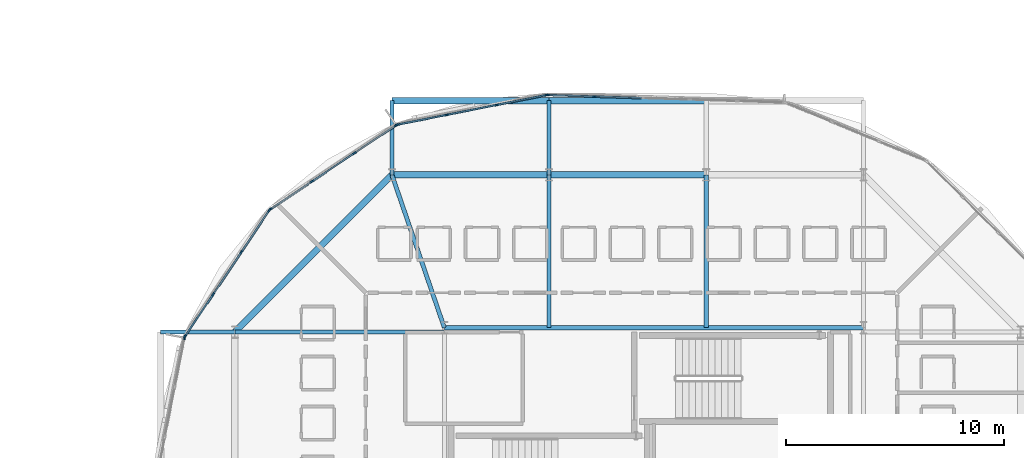
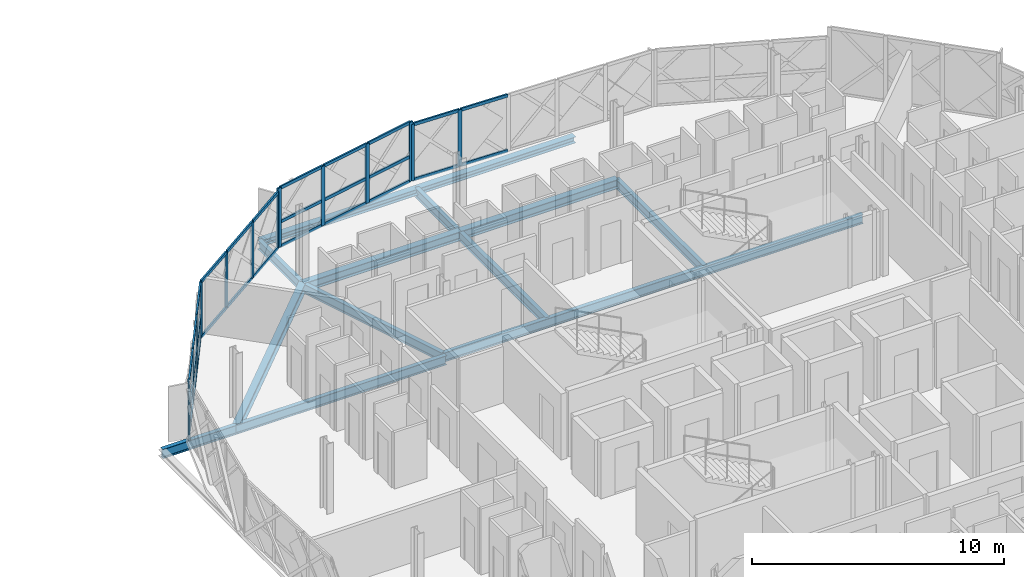
# One storey, part 11 of 50: 43 members, 13 beams, 5 elements without a shape of their own.
"""IFC4 building model written with IfcOpenShell, lengths in metres."""

from ifc_helpers import new_model, si_unit, direction, frame, origin, origin_2d, place, context, subcontext, project, spatial, rectangle, i_section, extrude, material, layer, layer_set, material_profile, profile_set, type_object, element, aggregate, save


model = new_model("IFC4")

# Units and contexts
model_context = context("Model", 3, precision=1e-05, world=origin(), true_north=direction((0.0, 1.0)))
body_context = subcontext(model_context, "Body", "Model", "MODEL_VIEW")
ifc_project = project(units=[si_unit("LENGTHUNIT", "METRE"), si_unit("AREAUNIT", "SQUARE_METRE"), si_unit("VOLUMEUNIT", "CUBIC_METRE"), si_unit("PLANEANGLEUNIT", "RADIAN"), si_unit("MASSUNIT", "GRAM", prefix="KILO")], contexts=[model_context])

# Site, building, storey
site_placement = place(None, origin())
site = spatial("IfcSite", under=ifc_project, at=site_placement, CompositionType="ELEMENT")
building_placement = place(site_placement, origin())
building = spatial("IfcBuilding", under=site, at=building_placement, Name="Zevrakil Square Congress Hotel", CompositionType="ELEMENT")
storey_placement = place(building_placement, frame((0.0, 0.0, 21.5)))
storey = spatial("IfcBuildingStorey", under=building, at=storey_placement, Name="L06", CompositionType="ELEMENT", Elevation=21.5)

# Beams
ifc_material_1 = material(Name="Steel S355", Category="steel")
ifc_material_profile_1 = material_profile(ifc_material_1, i_section(OverallWidth=0.300048828125, OverallDepth=0.43994140625, WebThickness=0.011474609375, FlangeThickness=0.02099609375, FilletRadius=0.027099609375, at=origin_2d()), Name="HEA 450")
ifc_profile_set_1 = profile_set([ifc_material_profile_1], Name="Steel S355")
beam_type_1 = type_object("IfcBeamType", Name="BM-HEA450", PredefinedType="BEAM", material=ifc_profile_set_1)
beam_1_placement = place(storey_placement, frame((148.800048828125, 45.60009765625, -0.409912109375), z_axis=(-1.0, 0.0, 0.0), x_axis=(0.0, -1.0, 0.0)))
element("IfcBeam", 1, at=beam_1_placement, inside=storey, type_object=beam_type_1, Name="L06 drum ring girder DRB-10", PredefinedType="BEAM", context=body_context, shape_type="SweptSolid", body=[
    extrude(i_section(OverallWidth=0.300048828125, OverallDepth=0.43994140625, WebThickness=0.011474609375, FlangeThickness=0.02099609375, FilletRadius=0.027099609375, at=origin_2d()), origin(), (0.0, 0.0, 1.0), 7.199951171875),
])
beam_2_placement = place(storey_placement, frame((141.60009765625, 45.60009765625, -0.409912109375), z_axis=(-1.0, 0.0, 0.0), x_axis=(0.0, -1.0, 0.0)))
element("IfcBeam", 2, at=beam_2_placement, inside=storey, type_object=beam_type_1, Name="L06 drum ring girder DRB-11", PredefinedType="BEAM", context=body_context, shape_type="SweptSolid", body=[
    extrude(i_section(OverallWidth=0.300048828125, OverallDepth=0.43994140625, WebThickness=0.011474609375, FlangeThickness=0.02099609375, FilletRadius=0.027099609375, at=origin_2d()), origin(), (0.0, 0.0, 1.0), 7.2001953125),
])
beam_3_placement = place(storey_placement, frame((134.39990234375, 45.60009765625, -0.409912109375), z_axis=(-0.70709479277, -0.7071187694, 0.0), x_axis=(0.7071187694, -0.70709479277, 0.0)))
element("IfcBeam", 3, at=beam_3_placement, inside=storey, type_object=beam_type_1, Name="L06 drum ring girder DRB-12", PredefinedType="BEAM", context=body_context, shape_type="SweptSolid", body=[
    extrude(i_section(OverallWidth=0.300048828125, OverallDepth=0.43994140625, WebThickness=0.011474609375, FlangeThickness=0.02099609375, FilletRadius=0.027099609375, at=origin_2d()), origin(), (0.0, 0.0, 1.0), 10.182373046875),
])
ifc_material_2 = material(Name="Steel S355", Category="steel")
ifc_material_profile_2 = material_profile(ifc_material_2, i_section(OverallWidth=0.18994140625, OverallDepth=0.449951171875, WebThickness=0.009521484375, FlangeThickness=0.0146484375, FilletRadius=0.02099609375, at=origin_2d()), Name="IPE 450")
ifc_profile_set_2 = profile_set([ifc_material_profile_2], Name="Steel S355")
beam_type_2 = type_object("IfcBeamType", Name="BM-IPE450", PredefinedType="BEAM", material=ifc_profile_set_2)
beam_4_placement = place(storey_placement, frame((156.0, 38.60009765625, -0.4150390625), z_axis=(-1.0, 0.0, 0.0), x_axis=(0.0, -1.0, 0.0)))
element("IfcBeam", 4, at=beam_4_placement, inside=storey, type_object=beam_type_2, Name="L06 drum core perimeter tie beam DCB-03", PredefinedType="BEAM", context=body_context, shape_type="SweptSolid", body=[
    extrude(i_section(OverallWidth=0.18994140625, OverallDepth=0.449951171875, WebThickness=0.009521484375, FlangeThickness=0.0146484375, FilletRadius=0.02099609375, at=origin_2d()), origin(), (0.0, 0.0, 1.0), 19.199951171875),
])
for number, where, z_axis, x_axis, name in (
    (5, (148.800048828125, 38.60009765625, -0.4150390625), (0.0, 1.0, 0.0), (-1.0, 0.0, 0.0), "L06 drum radial floor beam DRI-10"),
    (6, (141.60009765625, 38.60009765625, -0.4150390625), (0.0, 1.0, 0.0), (-1.0, 0.0, 0.0), "L06 drum radial floor beam DRI-11"),
):
    element("IfcBeam", number, at=place(storey_placement, frame(where, z_axis=z_axis, x_axis=x_axis)), inside=storey, type_object=beam_type_2, Name=name, PredefinedType="BEAM", context=body_context, shape_type="SweptSolid", body=[
        extrude(i_section(OverallWidth=0.18994140625, OverallDepth=0.449951171875, WebThickness=0.009521484375, FlangeThickness=0.0146484375, FilletRadius=0.02099609375, at=origin_2d()), origin(), (0.0, 0.0, 1.0), 7.0),
    ])
beam_5_placement = place(storey_placement, frame((141.60009765625, 45.60009765625, -0.4150390625), z_axis=(0.0, 1.0, 0.0), x_axis=(-1.0, 0.0, 0.0)))
element("IfcBeam", 7, at=beam_5_placement, inside=storey, type_object=beam_type_2, Name="L06 drum radial edge cantilever beam DRO-11", PredefinedType="BEAM", context=body_context, shape_type="SweptSolid", body=[
    extrude(i_section(OverallWidth=0.18994140625, OverallDepth=0.449951171875, WebThickness=0.009521484375, FlangeThickness=0.0146484375, FilletRadius=0.02099609375, at=origin_2d()), origin(), (0.0, 0.0, 1.0), 3.39990234375),
])
beam_6_placement = place(storey_placement, frame((136.800048828125, 38.60009765625, -0.4150390625), z_axis=(-0.324342037158, 0.945939872789, 0.0), x_axis=(-0.945939872789, -0.324342037158, 0.0)))
element("IfcBeam", 8, at=beam_6_placement, inside=storey, type_object=beam_type_2, Name="L06 drum radial floor beam DRI-12", PredefinedType="BEAM", context=body_context, shape_type="SweptSolid", body=[
    extrude(i_section(OverallWidth=0.18994140625, OverallDepth=0.449951171875, WebThickness=0.009521484375, FlangeThickness=0.0146484375, FilletRadius=0.02099609375, at=origin_2d()), origin(), (0.0, 0.0, 1.0), 7.400146484375),
])
beam_7_placement = place(storey_placement, frame((134.39990234375, 45.60009765625, -0.4150390625), z_axis=(0.0, 1.0, 0.0), x_axis=(-1.0, 0.0, 0.0)))
element("IfcBeam", 9, at=beam_7_placement, inside=storey, type_object=beam_type_2, Name="L06 drum radial edge cantilever beam DRO-12", PredefinedType="BEAM", context=body_context, shape_type="SweptSolid", body=[
    extrude(i_section(OverallWidth=0.18994140625, OverallDepth=0.449951171875, WebThickness=0.009521484375, FlangeThickness=0.0146484375, FilletRadius=0.02099609375, at=origin_2d()), origin(), (0.0, 0.0, 1.0), 3.39990234375),
])
beam_8_placement = place(storey_placement, frame((136.800048828125, 38.39990234375, -0.4150390625), z_axis=(-1.0, 0.0, 0.0), x_axis=(0.0, -1.0, 0.0)))
element("IfcBeam", 10, at=beam_8_placement, inside=storey, type_object=beam_type_2, Name="L06 drum radial floor beam DRI-13", PredefinedType="BEAM", context=body_context, shape_type="SweptSolid", body=[
    extrude(i_section(OverallWidth=0.18994140625, OverallDepth=0.449951171875, WebThickness=0.009521484375, FlangeThickness=0.0146484375, FilletRadius=0.02099609375, at=origin_2d()), origin(), (0.0, 0.0, 1.0), 9.60009765625),
])
beam_9_placement = place(storey_placement, frame((127.199951171875, 38.39990234375, -0.4150390625), z_axis=(-1.0, 0.0, 0.0), x_axis=(0.0, -1.0, 0.0)))
element("IfcBeam", 11, at=beam_9_placement, inside=storey, type_object=beam_type_2, Name="L06 drum radial edge cantilever beam DRO-13", PredefinedType="BEAM", context=body_context, shape_type="SweptSolid", body=[
    extrude(i_section(OverallWidth=0.18994140625, OverallDepth=0.449951171875, WebThickness=0.009521484375, FlangeThickness=0.0146484375, FilletRadius=0.02099609375, at=origin_2d()), origin(), (0.0, 0.0, 1.0), 3.39990234375),
])

# Curtain wall, members
ifc_material_3 = material(Name="Aluminium Anodised Bronze", Category="aluminium")
ifc_layer_1 = layer(ifc_material_3, 0.179931640625)
ifc_layer_set_1 = layer_set([ifc_layer_1], Name="Aluminium Anodised Bronze")
curtain_wall_type_1 = type_object("IfcCurtainWallType", Name="CW-L06-900", PredefinedType="USERDEFINED", material=ifc_layer_set_1)
curtain_wall_1_placement = place(storey_placement, origin())
curtain_wall_1 = element("IfcCurtainWall", 12, at=curtain_wall_1_placement, inside=storey, type_object=curtain_wall_type_1, Name="L06 diamond curtain wall CW-L06-0209", ObjectType="GLAZED CURTAIN WALL", PredefinedType="USERDEFINED")
ifc_material_4 = material(Name="Aluminium Anodised Bronze", Category="aluminium")
ifc_material_profile_3 = material_profile(ifc_material_4, rectangle(XDim=0.074951171875, YDim=0.14990234375, at=origin_2d()), Name="ALU 75x150")
ifc_profile_set_3 = profile_set([ifc_material_profile_3], Name="Aluminium Anodised Bronze")
member_type_1 = type_object("IfcMemberType", Name="CWM-ALU75x150", PredefinedType="USERDEFINED", material=ifc_profile_set_3)
member_1_placement = place(storey_placement, frame((145.830078125, 49.123046875, 0.030029296875), z_axis=(-0.999503740903, 0.031500347942, 0.0), x_axis=(-0.031500347942, -0.999503740903, 0.0)))
member_1 = element("IfcMember", 13, at=member_1_placement, type_object=member_type_1, Name="CW-72 transom 4.1", ObjectType="TRANSOM", PredefinedType="USERDEFINED", context=body_context, shape_type="SweptSolid", body=[
    extrude(rectangle(XDim=0.074951171875, YDim=0.14990234375, at=origin_2d()), origin(), (0.0, 0.0, 1.0), 2.12353515625),
])
member_2_placement = place(storey_placement, frame((145.830078125, 49.123046875, 2.699951171875), z_axis=(-0.999503740903, 0.031500347942, 0.0), x_axis=(-0.031500347942, -0.999503740903, 0.0)))
member_2 = element("IfcMember", 14, at=member_2_placement, type_object=member_type_1, Name="CW-72 transom 4.2", ObjectType="TRANSOM", PredefinedType="USERDEFINED", context=body_context, shape_type="SweptSolid", body=[
    extrude(rectangle(XDim=0.074951171875, YDim=0.14990234375, at=origin_2d()), origin(), (0.0, 0.0, 1.0), 2.12353515625),
])
member_3_placement = place(storey_placement, frame((143.6474609375, 49.19189453125, 0.030029296875), z_axis=(-0.999500517683, 0.031602454823, 0.0), x_axis=(-0.031602454823, -0.999500517683, 0.0)))
member_3 = element("IfcMember", 15, at=member_3_placement, type_object=member_type_1, Name="CW-72 transom 5.1", ObjectType="TRANSOM", PredefinedType="USERDEFINED", context=body_context, shape_type="SweptSolid", body=[
    extrude(rectangle(XDim=0.074951171875, YDim=0.14990234375, at=origin_2d()), origin(), (0.0, 0.0, 1.0), 2.093505859375),
])
member_4_placement = place(storey_placement, frame((143.6474609375, 49.19189453125, 2.699951171875), z_axis=(-0.999500517683, 0.031602454823, 0.0), x_axis=(-0.031602454823, -0.999500517683, 0.0)))
member_4 = element("IfcMember", 16, at=member_4_placement, type_object=member_type_1, Name="CW-72 transom 5.2", ObjectType="TRANSOM", PredefinedType="USERDEFINED", context=body_context, shape_type="SweptSolid", body=[
    extrude(rectangle(XDim=0.074951171875, YDim=0.14990234375, at=origin_2d()), origin(), (0.0, 0.0, 1.0), 2.093505859375),
])

ifc_material_5 = material(Name="Aluminium Anodised Bronze", Category="aluminium")
ifc_layer_2 = layer(ifc_material_5, 0.179931640625)
ifc_layer_set_2 = layer_set([ifc_layer_2], Name="Aluminium Anodised Bronze")
curtain_wall_type_2 = type_object("IfcCurtainWallType", Name="CW-L06-720", PredefinedType="USERDEFINED", material=ifc_layer_set_2)
curtain_wall_2_placement = place(storey_placement, origin())
curtain_wall_2 = element("IfcCurtainWall", 17, at=curtain_wall_2_placement, inside=storey, type_object=curtain_wall_type_2, Name="L06 diamond curtain wall CW-L06-0210", ObjectType="GLAZED CURTAIN WALL", PredefinedType="USERDEFINED")
member_5_placement = place(storey_placement, frame((141.43603515625, 49.248291015625, 0.030029296875), z_axis=(-0.980785085671, -0.195091300997, 0.0), x_axis=(0.195091300997, -0.980785085671, 0.0)))
member_5 = element("IfcMember", 18, at=member_5_placement, type_object=member_type_1, Name="CW-70 transom 1.1", ObjectType="TRANSOM", PredefinedType="USERDEFINED", context=body_context, shape_type="SweptSolid", body=[
    extrude(rectangle(XDim=0.074951171875, YDim=0.14990234375, at=origin_2d()), origin(), (0.0, 0.0, 1.0), 2.2451171875),
])
member_6_placement = place(storey_placement, frame((141.43603515625, 49.248291015625, 1.209716796875), z_axis=(-0.980785085671, -0.195091300997, 0.0), x_axis=(0.195091300997, -0.980785085671, 0.0)))
member_6 = element("IfcMember", 19, at=member_6_placement, type_object=member_type_1, Name="CW-70 transom 1.2", ObjectType="TRANSOM", PredefinedType="USERDEFINED", context=body_context, shape_type="SweptSolid", body=[
    extrude(rectangle(XDim=0.074951171875, YDim=0.14990234375, at=origin_2d()), origin(), (0.0, 0.0, 1.0), 2.2451171875),
])
member_7_placement = place(storey_placement, frame((141.43603515625, 49.248291015625, 2.85009765625), z_axis=(-0.980785085671, -0.195091300997, 0.0), x_axis=(0.195091300997, -0.980785085671, 0.0)))
member_7 = element("IfcMember", 20, at=member_7_placement, type_object=member_type_1, Name="CW-70 transom 1.3", ObjectType="TRANSOM", PredefinedType="USERDEFINED", context=body_context, shape_type="SweptSolid", body=[
    extrude(rectangle(XDim=0.074951171875, YDim=0.14990234375, at=origin_2d()), origin(), (0.0, 0.0, 1.0), 2.2451171875),
])
member_8_placement = place(storey_placement, frame((139.17529296875, 48.798583984375, 0.030029296875), z_axis=(-0.9807905758, -0.19506369837, 0.0), x_axis=(0.19506369837, -0.9807905758, 0.0)))
member_8 = element("IfcMember", 21, at=member_8_placement, type_object=member_type_1, Name="CW-70 transom 2.1", ObjectType="TRANSOM", PredefinedType="USERDEFINED", context=body_context, shape_type="SweptSolid", body=[
    extrude(rectangle(XDim=0.074951171875, YDim=0.14990234375, at=origin_2d()), origin(), (0.0, 0.0, 1.0), 2.275390625),
])
member_9_placement = place(storey_placement, frame((139.17529296875, 48.798583984375, 1.209716796875), z_axis=(-0.9807905758, -0.19506369837, 0.0), x_axis=(0.19506369837, -0.9807905758, 0.0)))
member_9 = element("IfcMember", 22, at=member_9_placement, type_object=member_type_1, Name="CW-70 transom 2.2", ObjectType="TRANSOM", PredefinedType="USERDEFINED", context=body_context, shape_type="SweptSolid", body=[
    extrude(rectangle(XDim=0.074951171875, YDim=0.14990234375, at=origin_2d()), origin(), (0.0, 0.0, 1.0), 2.275390625),
])
member_10_placement = place(storey_placement, frame((139.17529296875, 48.798583984375, 2.85009765625), z_axis=(-0.9807905758, -0.19506369837, 0.0), x_axis=(0.19506369837, -0.9807905758, 0.0)))
member_10 = element("IfcMember", 23, at=member_10_placement, type_object=member_type_1, Name="CW-70 transom 2.3", ObjectType="TRANSOM", PredefinedType="USERDEFINED", context=body_context, shape_type="SweptSolid", body=[
    extrude(rectangle(XDim=0.074951171875, YDim=0.14990234375, at=origin_2d()), origin(), (0.0, 0.0, 1.0), 2.275390625),
])
member_11_placement = place(storey_placement, frame((136.884765625, 48.343017578125, 0.030029296875), z_axis=(-0.980785085671, -0.195091300997, 0.0), x_axis=(0.195091300997, -0.980785085671, 0.0)))
member_11 = element("IfcMember", 24, at=member_11_placement, type_object=member_type_1, Name="CW-70 transom 3.1", ObjectType="TRANSOM", PredefinedType="USERDEFINED", context=body_context, shape_type="SweptSolid", body=[
    extrude(rectangle(XDim=0.074951171875, YDim=0.14990234375, at=origin_2d()), origin(), (0.0, 0.0, 1.0), 2.2451171875),
])
member_12_placement = place(storey_placement, frame((136.884765625, 48.343017578125, 1.209716796875), z_axis=(-0.980785085671, -0.195091300997, 0.0), x_axis=(0.195091300997, -0.980785085671, 0.0)))
member_12 = element("IfcMember", 25, at=member_12_placement, type_object=member_type_1, Name="CW-70 transom 3.2", ObjectType="TRANSOM", PredefinedType="USERDEFINED", context=body_context, shape_type="SweptSolid", body=[
    extrude(rectangle(XDim=0.074951171875, YDim=0.14990234375, at=origin_2d()), origin(), (0.0, 0.0, 1.0), 2.2451171875),
])
member_13_placement = place(storey_placement, frame((136.884765625, 48.343017578125, 2.85009765625), z_axis=(-0.980785085671, -0.195091300997, 0.0), x_axis=(0.195091300997, -0.980785085671, 0.0)))
member_13 = element("IfcMember", 26, at=member_13_placement, type_object=member_type_1, Name="CW-70 transom 3.3", ObjectType="TRANSOM", PredefinedType="USERDEFINED", context=body_context, shape_type="SweptSolid", body=[
    extrude(rectangle(XDim=0.074951171875, YDim=0.14990234375, at=origin_2d()), origin(), (0.0, 0.0, 1.0), 2.2451171875),
])

curtain_wall_3_placement = place(storey_placement, origin())
curtain_wall_3 = element("IfcCurtainWall", 27, at=curtain_wall_3_placement, inside=storey, type_object=curtain_wall_type_2, Name="L06 diamond curtain wall CW-L06-0211", ObjectType="GLAZED CURTAIN WALL", PredefinedType="USERDEFINED")
member_14_placement = place(storey_placement, frame((134.573974609375, 47.85986328125, 0.030029296875), z_axis=(-0.831464280743, -0.555578212179, 0.0), x_axis=(0.555578212179, -0.831464280743, 0.0)))
member_14 = element("IfcMember", 28, at=member_14_placement, type_object=member_type_1, Name="CW-70 transom 1.1", ObjectType="TRANSOM", PredefinedType="USERDEFINED", context=body_context, shape_type="SweptSolid", body=[
    extrude(rectangle(XDim=0.074951171875, YDim=0.14990234375, at=origin_2d()), origin(), (0.0, 0.0, 1.0), 2.2451171875),
])
member_15_placement = place(storey_placement, frame((134.573974609375, 47.85986328125, 2.699951171875), z_axis=(-0.831464280743, -0.555578212179, 0.0), x_axis=(0.555578212179, -0.831464280743, 0.0)))
member_15 = element("IfcMember", 29, at=member_15_placement, type_object=member_type_1, Name="CW-70 transom 1.2", ObjectType="TRANSOM", PredefinedType="USERDEFINED", context=body_context, shape_type="SweptSolid", body=[
    extrude(rectangle(XDim=0.074951171875, YDim=0.14990234375, at=origin_2d()), origin(), (0.0, 0.0, 1.0), 2.2451171875),
])
member_16_placement = place(storey_placement, frame((132.6572265625, 46.579345703125, 0.030029296875), z_axis=(-0.831422423114, -0.55564085014, 0.0), x_axis=(0.55564085014, -0.831422423114, 0.0)))
member_16 = element("IfcMember", 30, at=member_16_placement, type_object=member_type_1, Name="CW-70 transom 2.1", ObjectType="TRANSOM", PredefinedType="USERDEFINED", context=body_context, shape_type="SweptSolid", body=[
    extrude(rectangle(XDim=0.074951171875, YDim=0.14990234375, at=origin_2d()), origin(), (0.0, 0.0, 1.0), 2.275146484375),
])
member_17_placement = place(storey_placement, frame((132.6572265625, 46.579345703125, 2.699951171875), z_axis=(-0.831422423114, -0.55564085014, 0.0), x_axis=(0.55564085014, -0.831422423114, 0.0)))
member_17 = element("IfcMember", 31, at=member_17_placement, type_object=member_type_1, Name="CW-70 transom 2.2", ObjectType="TRANSOM", PredefinedType="USERDEFINED", context=body_context, shape_type="SweptSolid", body=[
    extrude(rectangle(XDim=0.074951171875, YDim=0.14990234375, at=origin_2d()), origin(), (0.0, 0.0, 1.0), 2.275146484375),
])
member_18_placement = place(storey_placement, frame((130.715576171875, 45.28173828125, 0.030029296875), z_axis=(-0.831464280743, -0.555578212179, 0.0), x_axis=(0.555578212179, -0.831464280743, 0.0)))
member_18 = element("IfcMember", 32, at=member_18_placement, type_object=member_type_1, Name="CW-70 transom 3.1", ObjectType="TRANSOM", PredefinedType="USERDEFINED", context=body_context, shape_type="SweptSolid", body=[
    extrude(rectangle(XDim=0.074951171875, YDim=0.14990234375, at=origin_2d()), origin(), (0.0, 0.0, 1.0), 2.2451171875),
])
member_19_placement = place(storey_placement, frame((130.715576171875, 45.28173828125, 2.699951171875), z_axis=(-0.831464280743, -0.555578212179, 0.0), x_axis=(0.555578212179, -0.831464280743, 0.0)))
member_19 = element("IfcMember", 33, at=member_19_placement, type_object=member_type_1, Name="CW-70 transom 3.2", ObjectType="TRANSOM", PredefinedType="USERDEFINED", context=body_context, shape_type="SweptSolid", body=[
    extrude(rectangle(XDim=0.074951171875, YDim=0.14990234375, at=origin_2d()), origin(), (0.0, 0.0, 1.0), 2.2451171875),
])

curtain_wall_4_placement = place(storey_placement, origin())
curtain_wall_4 = element("IfcCurtainWall", 34, at=curtain_wall_4_placement, inside=storey, type_object=curtain_wall_type_2, Name="L06 diamond curtain wall CW-L06-0212", ObjectType="GLAZED CURTAIN WALL", PredefinedType="USERDEFINED")
member_20_placement = place(storey_placement, frame((128.765625, 43.951171875, 0.030029296875), z_axis=(-0.555653384358, -0.83141404634, 0.0), x_axis=(0.83141404634, -0.555653384358, 0.0)))
member_20 = element("IfcMember", 35, at=member_20_placement, type_object=member_type_1, Name="CW-70 transom 1.1", ObjectType="TRANSOM", PredefinedType="USERDEFINED", context=body_context, shape_type="SweptSolid", body=[
    extrude(rectangle(XDim=0.074951171875, YDim=0.14990234375, at=origin_2d()), origin(), (0.0, 0.0, 1.0), 2.2451171875),
])
member_21_placement = place(storey_placement, frame((128.765625, 43.951171875, 1.146484375), z_axis=(-0.555653384358, -0.83141404634, 0.0), x_axis=(0.83141404634, -0.555653384358, 0.0)))
member_21 = element("IfcMember", 36, at=member_21_placement, type_object=member_type_1, Name="CW-70 transom 1.2", ObjectType="TRANSOM", PredefinedType="USERDEFINED", context=body_context, shape_type="SweptSolid", body=[
    extrude(rectangle(XDim=0.074951171875, YDim=0.14990234375, at=origin_2d()), origin(), (0.0, 0.0, 1.0), 2.2451171875),
])
member_22_placement = place(storey_placement, frame((128.765625, 43.951171875, 2.699951171875), z_axis=(-0.555653384358, -0.83141404634, 0.0), x_axis=(0.83141404634, -0.555653384358, 0.0)))
member_22 = element("IfcMember", 37, at=member_22_placement, type_object=member_type_1, Name="CW-70 transom 1.3", ObjectType="TRANSOM", PredefinedType="USERDEFINED", context=body_context, shape_type="SweptSolid", body=[
    extrude(rectangle(XDim=0.074951171875, YDim=0.14990234375, at=origin_2d()), origin(), (0.0, 0.0, 1.0), 2.2451171875),
])
member_23_placement = place(storey_placement, frame((127.48486328125, 42.034423828125, 0.030029296875), z_axis=(-0.55564085014, -0.831422423114, 0.0), x_axis=(0.831422423114, -0.55564085014, 0.0)))
member_23 = element("IfcMember", 38, at=member_23_placement, type_object=member_type_1, Name="CW-70 transom 2.1", ObjectType="TRANSOM", PredefinedType="USERDEFINED", context=body_context, shape_type="SweptSolid", body=[
    extrude(rectangle(XDim=0.074951171875, YDim=0.14990234375, at=origin_2d()), origin(), (0.0, 0.0, 1.0), 2.275146484375),
])
member_24_placement = place(storey_placement, frame((127.48486328125, 42.034423828125, 1.146484375), z_axis=(-0.55564085014, -0.831422423114, 0.0), x_axis=(0.831422423114, -0.55564085014, 0.0)))
member_24 = element("IfcMember", 39, at=member_24_placement, type_object=member_type_1, Name="CW-70 transom 2.2", ObjectType="TRANSOM", PredefinedType="USERDEFINED", context=body_context, shape_type="SweptSolid", body=[
    extrude(rectangle(XDim=0.074951171875, YDim=0.14990234375, at=origin_2d()), origin(), (0.0, 0.0, 1.0), 2.275146484375),
])
member_25_placement = place(storey_placement, frame((127.48486328125, 42.034423828125, 2.699951171875), z_axis=(-0.55564085014, -0.831422423114, 0.0), x_axis=(0.831422423114, -0.55564085014, 0.0)))
member_25 = element("IfcMember", 40, at=member_25_placement, type_object=member_type_1, Name="CW-70 transom 2.3", ObjectType="TRANSOM", PredefinedType="USERDEFINED", context=body_context, shape_type="SweptSolid", body=[
    extrude(rectangle(XDim=0.074951171875, YDim=0.14990234375, at=origin_2d()), origin(), (0.0, 0.0, 1.0), 2.275146484375),
])
member_26_placement = place(storey_placement, frame((126.1875, 40.0927734375, 0.030029296875), z_axis=(-0.555653384358, -0.83141404634, 0.0), x_axis=(0.83141404634, -0.555653384358, 0.0)))
member_26 = element("IfcMember", 41, at=member_26_placement, type_object=member_type_1, Name="CW-70 transom 3.1", ObjectType="TRANSOM", PredefinedType="USERDEFINED", context=body_context, shape_type="SweptSolid", body=[
    extrude(rectangle(XDim=0.074951171875, YDim=0.14990234375, at=origin_2d()), origin(), (0.0, 0.0, 1.0), 2.2451171875),
])
member_27_placement = place(storey_placement, frame((126.1875, 40.0927734375, 1.146484375), z_axis=(-0.555653384358, -0.83141404634, 0.0), x_axis=(0.83141404634, -0.555653384358, 0.0)))
member_27 = element("IfcMember", 42, at=member_27_placement, type_object=member_type_1, Name="CW-70 transom 3.2", ObjectType="TRANSOM", PredefinedType="USERDEFINED", context=body_context, shape_type="SweptSolid", body=[
    extrude(rectangle(XDim=0.074951171875, YDim=0.14990234375, at=origin_2d()), origin(), (0.0, 0.0, 1.0), 2.2451171875),
])
member_28_placement = place(storey_placement, frame((126.1875, 40.0927734375, 2.699951171875), z_axis=(-0.555653384358, -0.83141404634, 0.0), x_axis=(0.83141404634, -0.555653384358, 0.0)))
member_28 = element("IfcMember", 43, at=member_28_placement, type_object=member_type_1, Name="CW-70 transom 3.3", ObjectType="TRANSOM", PredefinedType="USERDEFINED", context=body_context, shape_type="SweptSolid", body=[
    extrude(rectangle(XDim=0.074951171875, YDim=0.14990234375, at=origin_2d()), origin(), (0.0, 0.0, 1.0), 2.2451171875),
])

# Member
ifc_material_6 = material(Name="Aluminium Anodised Bronze", Category="aluminium")
ifc_material_profile_4 = material_profile(ifc_material_6, rectangle(XDim=0.074951171875, YDim=0.179931640625, at=origin_2d()), Name="ALU 75x180")
ifc_profile_set_4 = profile_set([ifc_material_profile_4], Name="Aluminium Anodised Bronze")
member_type_2 = type_object("IfcMemberType", Name="CWM-ALU75x180", PredefinedType="MULLION", material=ifc_profile_set_4)
member_29_placement = place(storey_placement, frame((143.677490234375, 49.19091796875, 0.0), z_axis=(0.0, 0.0, 1.0), x_axis=(-0.031598464383, -0.999500643846, 0.0)))
member_29 = element("IfcMember", 44, at=member_29_placement, type_object=member_type_2, Name="CW-72 mullion 5", PredefinedType="MULLION", context=body_context, shape_type="SweptSolid", body=[
    extrude(rectangle(XDim=0.074951171875, YDim=0.179931640625, at=origin_2d()), origin(), (0.0, 0.0, 1.0), 2.72998046875),
])

member_30_placement = place(storey_placement, frame((141.52490234375, 49.259033203125, 0.0), z_axis=(0.0, 0.0, 1.0), x_axis=(-0.031598464383, -0.999500643846, 0.0)))
member_30 = element("IfcMember", 45, at=member_30_placement, type_object=member_type_2, Name="CW-72 mullion 6", PredefinedType="MULLION", context=body_context, shape_type="SweptSolid", body=[
    extrude(rectangle(XDim=0.074951171875, YDim=0.179931640625, at=origin_2d()), origin(), (0.0, 0.0, 1.0), 2.72998046875),
])

aggregate(curtain_wall_1, [member_29, member_30, member_1, member_2, member_3, member_4])

member_31_placement = place(storey_placement, frame((141.465576171875, 49.254150390625, 0.0), z_axis=(0.0, 0.0, 1.0), x_axis=(0.195083900459, -0.980786557708, 0.0)))
member_31 = element("IfcMember", 46, at=member_31_placement, type_object=member_type_2, Name="CW-70 mullion 1", PredefinedType="MULLION", context=body_context, shape_type="SweptSolid", body=[
    extrude(rectangle(XDim=0.074951171875, YDim=0.179931640625, at=origin_2d()), origin(), (0.0, 0.0, 1.0), 2.8798828125),
])

member_32_placement = place(storey_placement, frame((139.20458984375, 48.804443359375, 0.0), z_axis=(0.0, 0.0, 1.0), x_axis=(0.195083900459, -0.980786557708, 0.0)))
member_32 = element("IfcMember", 47, at=member_32_placement, type_object=member_type_2, Name="CW-70 mullion 2", PredefinedType="MULLION", context=body_context, shape_type="SweptSolid", body=[
    extrude(rectangle(XDim=0.074951171875, YDim=0.179931640625, at=origin_2d()), origin(), (0.0, 0.0, 1.0), 2.8798828125),
])

member_33_placement = place(storey_placement, frame((136.914306640625, 48.348876953125, 0.0), z_axis=(0.0, 0.0, 1.0), x_axis=(0.195083900459, -0.980786557708, 0.0)))
member_33 = element("IfcMember", 48, at=member_33_placement, type_object=member_type_2, Name="CW-70 mullion 3", PredefinedType="MULLION", context=body_context, shape_type="SweptSolid", body=[
    extrude(rectangle(XDim=0.074951171875, YDim=0.179931640625, at=origin_2d()), origin(), (0.0, 0.0, 1.0), 2.8798828125),
])

member_34_placement = place(storey_placement, frame((134.6533203125, 47.899169921875, 0.0), z_axis=(0.0, 0.0, 1.0), x_axis=(0.195083900459, -0.980786557708, 0.0)))
member_34 = element("IfcMember", 49, at=member_34_placement, type_object=member_type_2, Name="CW-70 mullion 4", PredefinedType="MULLION", context=body_context, shape_type="SweptSolid", body=[
    extrude(rectangle(XDim=0.074951171875, YDim=0.179931640625, at=origin_2d()), origin(), (0.0, 0.0, 1.0), 2.8798828125),
])

aggregate(curtain_wall_2, [member_31, member_32, member_33, member_34, member_5, member_6, member_7, member_8, member_9, member_10, member_11, member_12, member_13])

member_35_placement = place(storey_placement, frame((134.598876953125, 47.876708984375, 0.0), z_axis=(0.0, 0.0, 1.0), x_axis=(0.555576098128, -0.831465693332, 0.0)))
member_35 = element("IfcMember", 50, at=member_35_placement, type_object=member_type_2, Name="CW-70 mullion 1", PredefinedType="MULLION", context=body_context, shape_type="SweptSolid", body=[
    extrude(rectangle(XDim=0.074951171875, YDim=0.179931640625, at=origin_2d()), origin(), (0.0, 0.0, 1.0), 2.72998046875),
])

member_36_placement = place(storey_placement, frame((132.68212890625, 46.595947265625, 0.0), z_axis=(0.0, 0.0, 1.0), x_axis=(0.555576098128, -0.831465693332, 0.0)))
member_36 = element("IfcMember", 51, at=member_36_placement, type_object=member_type_2, Name="CW-70 mullion 2", PredefinedType="MULLION", context=body_context, shape_type="SweptSolid", body=[
    extrude(rectangle(XDim=0.074951171875, YDim=0.179931640625, at=origin_2d()), origin(), (0.0, 0.0, 1.0), 2.72998046875),
])

member_37_placement = place(storey_placement, frame((130.740478515625, 45.298583984375, 0.0), z_axis=(0.0, 0.0, 1.0), x_axis=(0.555576098128, -0.831465693332, 0.0)))
member_37 = element("IfcMember", 52, at=member_37_placement, type_object=member_type_2, Name="CW-70 mullion 3", PredefinedType="MULLION", context=body_context, shape_type="SweptSolid", body=[
    extrude(rectangle(XDim=0.074951171875, YDim=0.179931640625, at=origin_2d()), origin(), (0.0, 0.0, 1.0), 2.72998046875),
])

member_38_placement = place(storey_placement, frame((128.82373046875, 44.017822265625, 0.0), z_axis=(0.0, 0.0, 1.0), x_axis=(0.555576098128, -0.831465693332, 0.0)))
member_38 = element("IfcMember", 53, at=member_38_placement, type_object=member_type_2, Name="CW-70 mullion 4", PredefinedType="MULLION", context=body_context, shape_type="SweptSolid", body=[
    extrude(rectangle(XDim=0.074951171875, YDim=0.179931640625, at=origin_2d()), origin(), (0.0, 0.0, 1.0), 2.72998046875),
])

aggregate(curtain_wall_3, [member_35, member_36, member_37, member_38, member_14, member_15, member_16, member_17, member_18, member_19])

member_39_placement = place(storey_placement, frame((128.7822265625, 43.97607421875, 0.0), z_axis=(0.0, 0.0, 1.0), x_axis=(0.831465693332, -0.555576098128, 0.0)))
member_39 = element("IfcMember", 54, at=member_39_placement, type_object=member_type_2, Name="CW-70 mullion 1", PredefinedType="MULLION", context=body_context, shape_type="SweptSolid", body=[
    extrude(rectangle(XDim=0.074951171875, YDim=0.179931640625, at=origin_2d()), origin(), (0.0, 0.0, 1.0), 2.72998046875),
])

member_40_placement = place(storey_placement, frame((127.50146484375, 42.059326171875, 0.0), z_axis=(0.0, 0.0, 1.0), x_axis=(0.831465693332, -0.555576098128, 0.0)))
member_40 = element("IfcMember", 55, at=member_40_placement, type_object=member_type_2, Name="CW-70 mullion 2", PredefinedType="MULLION", context=body_context, shape_type="SweptSolid", body=[
    extrude(rectangle(XDim=0.074951171875, YDim=0.179931640625, at=origin_2d()), origin(), (0.0, 0.0, 1.0), 2.72998046875),
])

member_41_placement = place(storey_placement, frame((126.2041015625, 40.11767578125, 0.0), z_axis=(0.0, 0.0, 1.0), x_axis=(0.831465693332, -0.555576098128, 0.0)))
member_41 = element("IfcMember", 56, at=member_41_placement, type_object=member_type_2, Name="CW-70 mullion 3", PredefinedType="MULLION", context=body_context, shape_type="SweptSolid", body=[
    extrude(rectangle(XDim=0.074951171875, YDim=0.179931640625, at=origin_2d()), origin(), (0.0, 0.0, 1.0), 2.72998046875),
])

member_42_placement = place(storey_placement, frame((124.92333984375, 38.200927734375, 0.0), z_axis=(0.0, 0.0, 1.0), x_axis=(0.831465693332, -0.555576098128, 0.0)))
member_42 = element("IfcMember", 57, at=member_42_placement, type_object=member_type_2, Name="CW-70 mullion 4", PredefinedType="MULLION", context=body_context, shape_type="SweptSolid", body=[
    extrude(rectangle(XDim=0.074951171875, YDim=0.179931640625, at=origin_2d()), origin(), (0.0, 0.0, 1.0), 2.72998046875),
])

aggregate(curtain_wall_4, [member_39, member_40, member_41, member_42, member_20, member_21, member_22, member_23, member_24, member_25, member_26, member_27, member_28])

# Curtain wall, member
curtain_wall_5_placement = place(storey_placement, origin())
curtain_wall_5 = element("IfcCurtainWall", 58, at=curtain_wall_5_placement, inside=storey, type_object=curtain_wall_type_2, Name="L06 diamond curtain wall CW-L06-0213", ObjectType="GLAZED CURTAIN WALL", PredefinedType="USERDEFINED")
member_43_placement = place(storey_placement, frame((124.90087890625, 38.146728515625, 0.0), z_axis=(0.0, 0.0, 1.0), x_axis=(0.980786557708, -0.195083900459, 0.0)))
member_43 = element("IfcMember", 59, at=member_43_placement, type_object=member_type_2, Name="CW-70 mullion 1", PredefinedType="MULLION", context=body_context, shape_type="SweptSolid", body=[
    extrude(rectangle(XDim=0.074951171875, YDim=0.179931640625, at=origin_2d()), origin(), (0.0, 0.0, 1.0), 2.8798828125),
])
aggregate(curtain_wall_5, [member_43])

# Beams
ifc_material_7 = material(Name="Steel S355", Category="steel")
ifc_material_profile_5 = material_profile(ifc_material_7, i_section(OverallWidth=0.300048828125, OverallDepth=0.300048828125, WebThickness=0.010986328125, FlangeThickness=0.01904296875, FilletRadius=0.027099609375, at=origin_2d()), Name="HEB 300")
ifc_profile_set_5 = profile_set([ifc_material_profile_5], Name="Steel S355")
beam_type_3 = type_object("IfcBeamType", Name="SPD-RHS250", PredefinedType="SPANDREL", material=ifc_profile_set_5)
beam_10_placement = place(storey_placement, frame((148.800048828125, 49.0, -0.340087890625), z_axis=(-1.0, 0.0, 0.0), x_axis=(0.0, -1.0, 0.0)))
element("IfcBeam", 60, at=beam_10_placement, inside=storey, type_object=beam_type_3, Name="L06 drum edge spandrel beam DSP-09", PredefinedType="SPANDREL", context=body_context, shape_type="SweptSolid", body=[
    extrude(i_section(OverallWidth=0.300048828125, OverallDepth=0.300048828125, WebThickness=0.010986328125, FlangeThickness=0.01904296875, FilletRadius=0.027099609375, at=origin_2d()), origin(), (0.0, 0.0, 1.0), 7.199951171875),
])
beam_11_placement = place(storey_placement, frame((141.60009765625, 49.0, -0.340087890625), z_axis=(-1.0, 0.0, 0.0), x_axis=(0.0, -1.0, 0.0)))
element("IfcBeam", 61, at=beam_11_placement, inside=storey, type_object=beam_type_3, Name="L06 drum edge spandrel beam DSP-10", PredefinedType="SPANDREL", context=body_context, shape_type="SweptSolid", body=[
    extrude(i_section(OverallWidth=0.300048828125, OverallDepth=0.300048828125, WebThickness=0.010986328125, FlangeThickness=0.01904296875, FilletRadius=0.027099609375, at=origin_2d()), origin(), (0.0, 0.0, 1.0), 7.2001953125),
])

save(model, "model.ifc")
